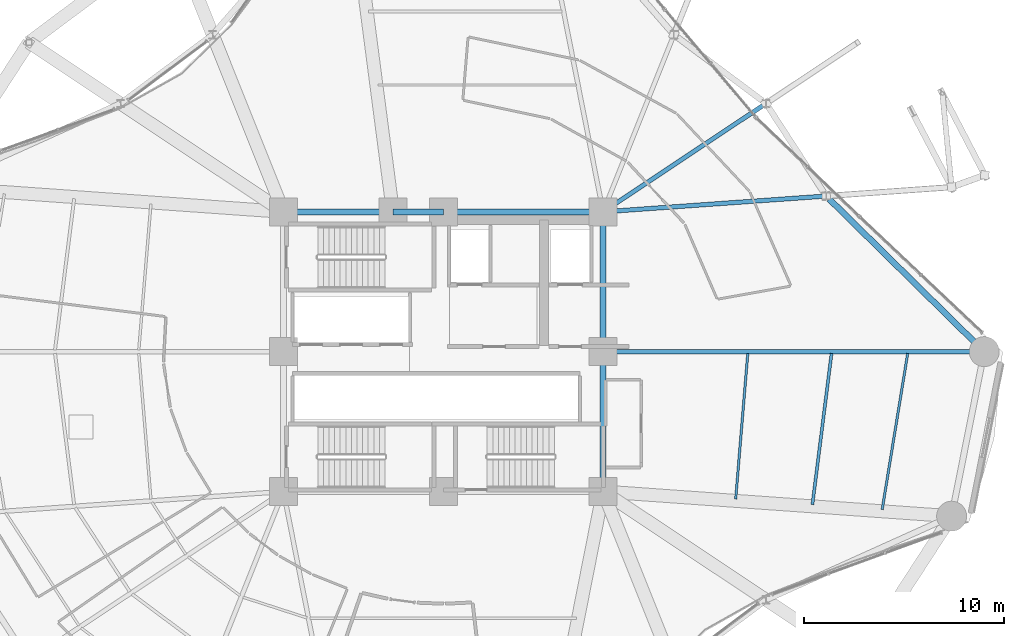
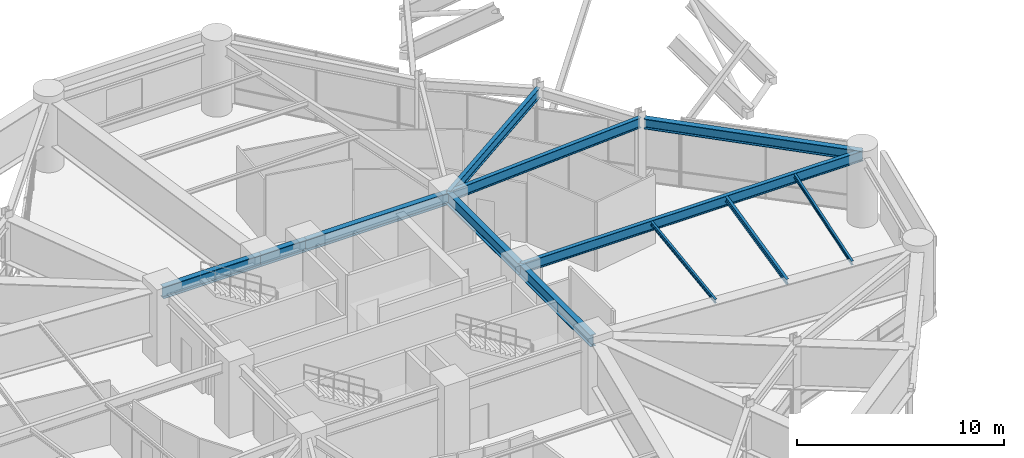
# One storey, part 25 of 53: 12 beams.
"""IFC4 building model written with IfcOpenShell, lengths in metres."""

from ifc_helpers import new_model, si_unit, direction, frame, origin, origin_2d, place, context, subcontext, project, spatial, i_section, extrude, material, material_profile, profile_set, type_object, element, save


model = new_model("IFC4")

# Units and contexts
model_context = context("Model", 3, precision=1e-05, world=origin(), true_north=direction((0.0, 1.0)))
body_context = subcontext(model_context, "Body", "Model", "MODEL_VIEW")
ifc_project = project(units=[si_unit("LENGTHUNIT", "METRE"), si_unit("AREAUNIT", "SQUARE_METRE"), si_unit("VOLUMEUNIT", "CUBIC_METRE"), si_unit("PLANEANGLEUNIT", "RADIAN"), si_unit("MASSUNIT", "GRAM", prefix="KILO")], contexts=[model_context])

# Site, building, storey
site_placement = place(None, origin())
site = spatial("IfcSite", under=ifc_project, at=site_placement, CompositionType="ELEMENT")
building_placement = place(site_placement, origin())
building = spatial("IfcBuilding", under=site, at=building_placement, Name="Kelanora Arch Commons", CompositionType="ELEMENT")
storey_placement = place(building_placement, frame((0.0, 0.0, 9.0)))
storey = spatial("IfcBuildingStorey", under=building, at=storey_placement, Name="L02", CompositionType="ELEMENT", Elevation=9.0)

# Beams
ifc_material = material(Name="Steel S355", Category="steel")
ifc_material_profile_1 = material_profile(ifc_material, i_section(OverallWidth=0.300048828125, OverallDepth=0.699951171875, WebThickness=0.01708984375, FlangeThickness=0.031982421875, FilletRadius=0.027099609375, at=origin_2d()), Name="HEB700")
ifc_profile_set_1 = profile_set([ifc_material_profile_1], Name="Steel S355")
beam_type_1 = type_object("IfcBeamType", Name="BM-CORE-HDR", PredefinedType="BEAM", material=ifc_profile_set_1)
for number, where, z_axis, x_axis, name in (
    (1, (82.0, 51.0, 3.75), (0.0, 1.0, 0.0), (-1.0, 0.0, 0.0), "Core Header Beam 03 L02"),
    (2, (82.0, 58.0, 3.75), (0.0, 1.0, 0.0), (-1.0, 0.0, 0.0), "Core Header Beam 04 L02"),
):
    element("IfcBeam", number, at=place(storey_placement, frame(where, z_axis=z_axis, x_axis=x_axis)), inside=storey, type_object=beam_type_1, Name=name, PredefinedType="BEAM", context=body_context, shape_type="SweptSolid", body=[
        extrude(i_section(OverallWidth=0.300048828125, OverallDepth=0.699951171875, WebThickness=0.01708984375, FlangeThickness=0.031982421875, FilletRadius=0.027099609375, at=origin_2d()), origin(), (0.0, 0.0, 1.0), 7.0),
    ])
beam_1_placement = place(storey_placement, frame((82.0, 65.0, 3.75), z_axis=(-1.0, 0.0, 0.0), x_axis=(0.0, -1.0, 0.0)))
element("IfcBeam", 3, at=beam_1_placement, inside=storey, type_object=beam_type_1, Name="Core Header Beam 05 L02", PredefinedType="BEAM", context=body_context, shape_type="SweptSolid", body=[
    extrude(i_section(OverallWidth=0.300048828125, OverallDepth=0.699951171875, WebThickness=0.01708984375, FlangeThickness=0.031982421875, FilletRadius=0.027099609375, at=origin_2d()), origin(), (0.0, 0.0, 1.0), 8.0),
])
beam_2_placement = place(storey_placement, frame((74.0, 65.0, 3.75), z_axis=(-1.0, 0.0, 0.0), x_axis=(0.0, -1.0, 0.0)))
element("IfcBeam", 4, at=beam_2_placement, inside=storey, type_object=beam_type_1, Name="Core Header Beam 06 L02", PredefinedType="BEAM", context=body_context, shape_type="SweptSolid", body=[
    extrude(i_section(OverallWidth=0.300048828125, OverallDepth=0.699951171875, WebThickness=0.01708984375, FlangeThickness=0.031982421875, FilletRadius=0.027099609375, at=origin_2d()), origin(), (0.0, 0.0, 1.0), 2.52001953125),
])
beam_3_placement = place(storey_placement, frame((71.47998046875, 65.0, 3.75), z_axis=(-1.0, 0.0, 0.0), x_axis=(0.0, -1.0, 0.0)))
element("IfcBeam", 5, at=beam_3_placement, inside=storey, type_object=beam_type_1, Name="Core Header Beam 07 L02", PredefinedType="BEAM", context=body_context, shape_type="SweptSolid", body=[
    extrude(i_section(OverallWidth=0.300048828125, OverallDepth=0.699951171875, WebThickness=0.01708984375, FlangeThickness=0.031982421875, FilletRadius=0.027099609375, at=origin_2d()), origin(), (0.0, 0.0, 1.0), 5.47998046875),
])
ifc_material_profile_2 = material_profile(ifc_material, i_section(OverallWidth=0.14990234375, OverallDepth=0.300048828125, WebThickness=0.007080078125, FlangeThickness=0.0107421875, FilletRadius=0.014892578125, at=origin_2d()), Name="IPE300")
ifc_profile_set_2 = profile_set([ifc_material_profile_2], Name="Steel S355")
beam_type_2 = type_object("IfcBeamType", Name="BM-JST-01", PredefinedType="JOIST", material=ifc_profile_set_2)
beam_4_placement = place(storey_placement, frame((92.478759765625, 50.3427734375, 3.949951171875), z_axis=(0.125565841651, 0.992085288375, 0.0), x_axis=(-0.992085288375, 0.125565841651, 0.0)))
element("IfcBeam", 6, at=beam_4_placement, inside=storey, type_object=beam_type_2, Name="Secondary Chord Joist BJB-34 L02", PredefinedType="JOIST", context=body_context, shape_type="SweptSolid", body=[
    extrude(i_section(OverallWidth=0.14990234375, OverallDepth=0.300048828125, WebThickness=0.007080078125, FlangeThickness=0.0107421875, FilletRadius=0.014892578125, at=origin_2d()), origin(), (0.0, 0.0, 1.0), 7.63330078125),
])
ifc_material_profile_3 = material_profile(ifc_material, i_section(OverallWidth=0.1201171875, OverallDepth=0.239990234375, WebThickness=0.006103515625, FlangeThickness=0.009765625, FilletRadius=0.014892578125, at=origin_2d()), Name="IPE240")
ifc_profile_set_3 = profile_set([ifc_material_profile_3], Name="Steel S355")
beam_type_3 = type_object("IfcBeamType", Name="BM-JST-02", PredefinedType="JOIST", material=ifc_profile_set_3)
beam_5_placement = place(storey_placement, frame((88.636962890625, 50.614990234375, 3.97998046875), z_axis=(0.082786209886, 0.996567330115, 0.0), x_axis=(-0.996567330115, 0.082786209886, 0.0)))
element("IfcBeam", 7, at=beam_5_placement, inside=storey, type_object=beam_type_3, Name="Secondary Chord Joist BJA-34 L02", PredefinedType="JOIST", context=body_context, shape_type="SweptSolid", body=[
    extrude(i_section(OverallWidth=0.1201171875, OverallDepth=0.239990234375, WebThickness=0.006103515625, FlangeThickness=0.009765625, FilletRadius=0.014892578125, at=origin_2d()), origin(), (0.0, 0.0, 1.0), 7.325439453125),
])
beam_6_placement = place(storey_placement, frame((95.97119140625, 50.09521484375, 3.97998046875), z_axis=(0.161400737199, 0.986888951216, 0.0), x_axis=(-0.986888951216, 0.161400737199, 0.0)))
element("IfcBeam", 8, at=beam_6_placement, inside=storey, type_object=beam_type_3, Name="Secondary Chord Joist BJC-34 L02", PredefinedType="JOIST", context=body_context, shape_type="SweptSolid", body=[
    extrude(i_section(OverallWidth=0.1201171875, OverallDepth=0.239990234375, WebThickness=0.006103515625, FlangeThickness=0.009765625, FilletRadius=0.014892578125, at=origin_2d()), origin(), (0.0, 0.0, 1.0), 7.9248046875),
])
ifc_material_profile_4 = material_profile(ifc_material, i_section(OverallWidth=0.219970703125, OverallDepth=0.60009765625, WebThickness=0.011962890625, FlangeThickness=0.01904296875, FilletRadius=0.02392578125, at=origin_2d()), Name="IPE600")
ifc_profile_set_4 = profile_set([ifc_material_profile_4], Name="Steel S355")
beam_type_4 = type_object("IfcBeamType", Name="BM-RAD-Z1", PredefinedType="BEAM", material=ifc_profile_set_4)
beam_7_placement = place(storey_placement, frame((82.0, 58.0, 3.800048828125), z_axis=(1.0, 0.0, 0.0), x_axis=(0.0, 1.0, 0.0)))
element("IfcBeam", 9, at=beam_7_placement, inside=storey, type_object=beam_type_4, Name="Radial Floor Girder BR-00 L02", PredefinedType="BEAM", context=body_context, shape_type="SweptSolid", body=[
    extrude(i_section(OverallWidth=0.219970703125, OverallDepth=0.60009765625, WebThickness=0.011962890625, FlangeThickness=0.01904296875, FilletRadius=0.02392578125, at=origin_2d()), origin(), (0.0, 0.0, 1.0), 19.080078125),
])
beam_8_placement = place(storey_placement, frame((82.0, 65.0, 3.800048828125), z_axis=(0.997500156706, 0.070664258084, 0.0), x_axis=(-0.070664258084, 0.997500156706, 0.0)))
element("IfcBeam", 10, at=beam_8_placement, inside=storey, type_object=beam_type_4, Name="Radial Floor Girder BR-02 L02", PredefinedType="BEAM", context=body_context, shape_type="SweptSolid", body=[
    extrude(i_section(OverallWidth=0.219970703125, OverallDepth=0.60009765625, WebThickness=0.011962890625, FlangeThickness=0.01904296875, FilletRadius=0.02392578125, at=origin_2d()), origin(), (0.0, 0.0, 1.0), 11.194091796875),
])
beam_9_placement = place(storey_placement, frame((82.0, 65.0, 3.800048828125), z_axis=(0.832598158113, 0.553877519951, 0.0), x_axis=(-0.553877519951, 0.832598158113, 0.0)))
element("IfcBeam", 11, at=beam_9_placement, inside=storey, type_object=beam_type_4, Name="Radial Floor Girder BR-04 L02", PredefinedType="BEAM", context=body_context, shape_type="SweptSolid", body=[
    extrude(i_section(OverallWidth=0.219970703125, OverallDepth=0.60009765625, WebThickness=0.011962890625, FlangeThickness=0.01904296875, FilletRadius=0.02392578125, at=origin_2d()), origin(), (0.0, 0.0, 1.0), 9.79638671875),
])
ifc_material_profile_5 = material_profile(ifc_material, i_section(OverallWidth=0.300048828125, OverallDepth=0.60009765625, WebThickness=0.015380859375, FlangeThickness=0.030029296875, FilletRadius=0.027099609375, at=origin_2d()), Name="HEB600")
ifc_profile_set_5 = profile_set([ifc_material_profile_5], Name="Steel S355")
beam_type_5 = type_object("IfcBeamType", Name="BM-SPN-Z1", PredefinedType="SPANDREL", material=ifc_profile_set_5)
beam_10_placement = place(storey_placement, frame((101.080078125, 58.0, 3.800048828125), z_axis=(-0.712624777601, 0.701545384383, 0.0), x_axis=(-0.701545384383, -0.712624777601, 0.0)))
element("IfcBeam", 12, at=beam_10_placement, inside=storey, type_object=beam_type_5, Name="Perimeter Spandrel Beam BS-00 L02", PredefinedType="SPANDREL", context=body_context, shape_type="SweptSolid", body=[
    extrude(i_section(OverallWidth=0.300048828125, OverallDepth=0.60009765625, WebThickness=0.015380859375, FlangeThickness=0.030029296875, FilletRadius=0.027099609375, at=origin_2d()), origin(), (0.0, 0.0, 1.0), 10.885498046875),
])

save(model, "model.ifc")
